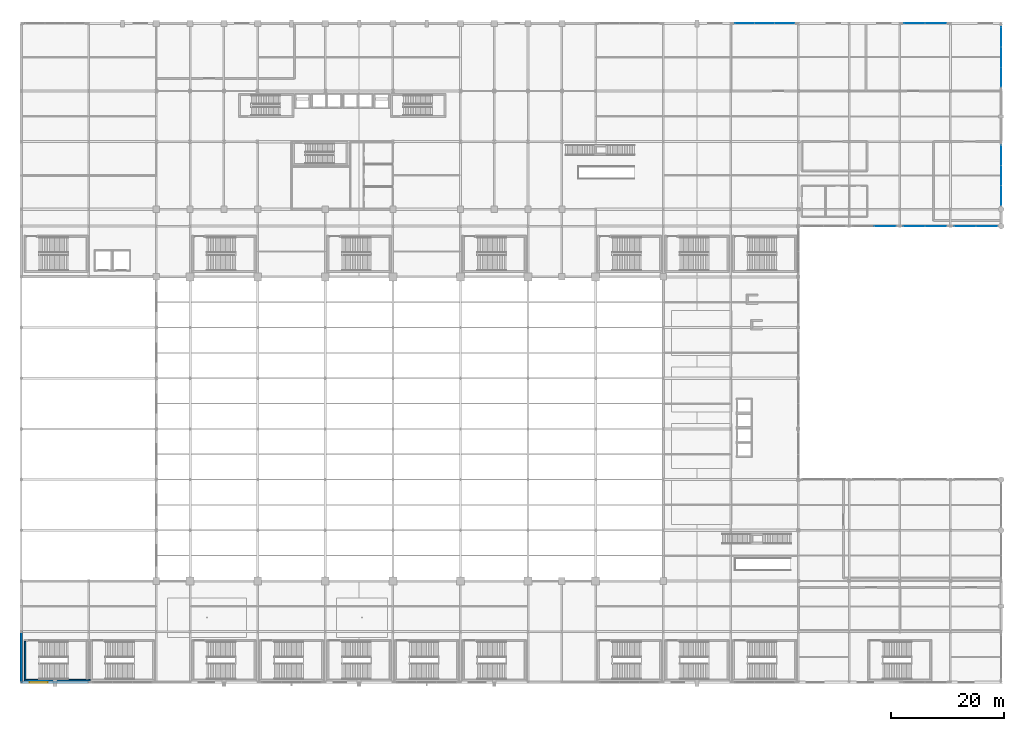
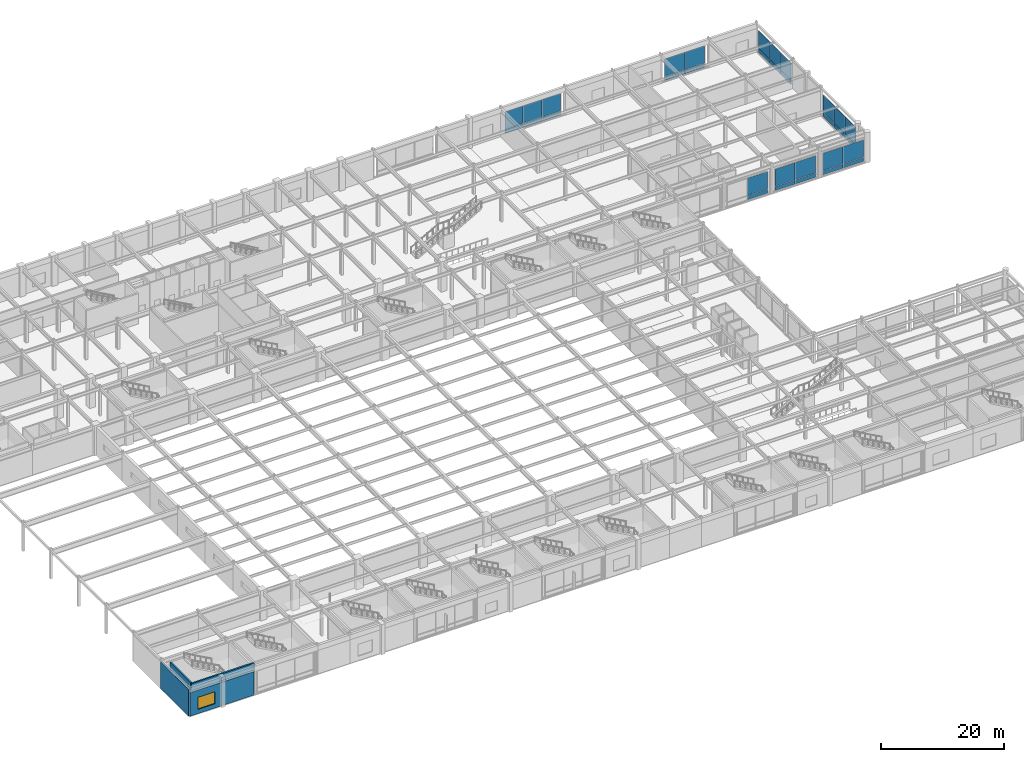
# One storey, part 82 of 105: 32 plates, 4 walls, 1 window, 1 opening, 7 elements without a shape of their own.
"""IFC4 building model written with IfcOpenShell, lengths in metres."""

from ifc_helpers import new_model, si_unit, direction, frame, frame_2d, origin, origin_with_axes, origin_2d, place, context, subcontext, project, spatial, rectangle, extrude, material, layer, layer_set, type_object, element, fill, aggregate, save


model = new_model("IFC4")

# Units and contexts
model_context = context("Model", 3, precision=1e-05, world=origin(), true_north=direction((0.0, 1.0)))
body_context = subcontext(model_context, "Body", "Model", "MODEL_VIEW")
ifc_project = project(units=[si_unit("LENGTHUNIT", "METRE"), si_unit("AREAUNIT", "SQUARE_METRE"), si_unit("VOLUMEUNIT", "CUBIC_METRE"), si_unit("PLANEANGLEUNIT", "RADIAN"), si_unit("MASSUNIT", "GRAM", prefix="KILO")], contexts=[model_context])

# Site, building, storey
site_placement = place(None, origin())
site = spatial("IfcSite", under=ifc_project, at=site_placement, CompositionType="ELEMENT")
building_placement = place(site_placement, origin())
building = spatial("IfcBuilding", under=site, at=building_placement, Name="Kaldorvane Square Convention Centre", CompositionType="ELEMENT")
storey_placement = place(building_placement, frame((0.0, 0.0, 6.0)))
storey = spatial("IfcBuildingStorey", under=building, at=storey_placement, Name="L01", CompositionType="ELEMENT", Elevation=6.0)

# Curtain wall, plates
ifc_material_1 = material(Name="Anodized Aluminum and Low-E Insulated Glazing", Category="aluminium")
curtain_wall_type_1 = type_object("IfcCurtainWallType", Name="CW-UNI-P60-09", PredefinedType="USERDEFINED", material=ifc_material_1)
curtain_wall_1_placement = place(storey_placement, origin())
curtain_wall_1 = element("IfcCurtainWall", 1, at=curtain_wall_1_placement, inside=storey, type_object=curtain_wall_type_1, Name="Curtain Wall CW-02 (L01)", ObjectType="UNITISED GLAZING", PredefinedType="USERDEFINED")
ifc_layer_1 = layer(ifc_material_1, 0.0359954833984375)
ifc_layer_set_1 = layer_set([ifc_layer_1], Name="Anodized Aluminum and Low-E Insulated Glazing")
plate_type_1 = type_object("IfcPlateType", Name="CW-PNL-02", PredefinedType="CURTAIN_PANEL", material=ifc_layer_set_1)
plate_1_placement = place(storey_placement, frame((135.51708984375, 117.0, 0.2100067138671875), z_axis=(0.0, 0.0, 1.0), x_axis=(-1.0, 0.0, 0.0)))
plate_1 = element("IfcPlate", 2, at=plate_1_placement, type_object=plate_type_1, Name="CW-02 panel 1.1", PredefinedType="CURTAIN_PANEL", context=body_context, shape_type="SweptSolid", body=[
    extrude(rectangle(XDim=3.4358367919921875, YDim=0.0359954833984375, at=origin_2d()), origin(), (0.0, 0.0, 1.0), 0.80999755859375),
])
plate_2_placement = place(storey_placement, frame((135.51708984375, 117.0, 1.079986572265625), z_axis=(0.0, 0.0, 1.0), x_axis=(-1.0, 0.0, 0.0)))
plate_2 = element("IfcPlate", 3, at=plate_2_placement, type_object=plate_type_1, Name="CW-02 panel 1.2", PredefinedType="CURTAIN_PANEL", context=body_context, shape_type="SweptSolid", body=[
    extrude(rectangle(XDim=3.4358367919921875, YDim=0.0359954833984375, at=origin_2d()), origin(), (0.0, 0.0, 1.0), 3.4199981689453125),
])
plate_3_placement = place(storey_placement, frame((132.0, 117.0, 0.2100067138671875), z_axis=(0.0, 0.0, 1.0), x_axis=(-1.0, 0.0, 0.0)))
plate_3 = element("IfcPlate", 4, at=plate_3_placement, type_object=plate_type_1, Name="CW-02 panel 2.1", PredefinedType="CURTAIN_PANEL", context=body_context, shape_type="SweptSolid", body=[
    extrude(rectangle(XDim=3.4683380126953125, YDim=0.0359954833984375, at=origin_2d()), origin(), (0.0, 0.0, 1.0), 0.80999755859375),
])
plate_4_placement = place(storey_placement, frame((132.0, 117.0, 1.079986572265625), z_axis=(0.0, 0.0, 1.0), x_axis=(-1.0, 0.0, 0.0)))
plate_4 = element("IfcPlate", 5, at=plate_4_placement, type_object=plate_type_1, Name="CW-02 panel 2.2", PredefinedType="CURTAIN_PANEL", context=body_context, shape_type="SweptSolid", body=[
    extrude(rectangle(XDim=3.4683380126953125, YDim=0.0359954833984375, at=origin_2d()), origin(), (0.0, 0.0, 1.0), 3.4199981689453125),
])
plate_5_placement = place(storey_placement, frame((128.48291015625, 117.0, 0.2100067138671875), z_axis=(0.0, 0.0, 1.0), x_axis=(-1.0, 0.0, 0.0)))
plate_5 = element("IfcPlate", 6, at=plate_5_placement, type_object=plate_type_1, Name="CW-02 panel 3.1", PredefinedType="CURTAIN_PANEL", context=body_context, shape_type="SweptSolid", body=[
    extrude(rectangle(XDim=3.4358367919921875, YDim=0.0359954833984375, at=origin_2d()), origin(), (0.0, 0.0, 1.0), 0.80999755859375),
])
plate_6_placement = place(storey_placement, frame((128.48291015625, 117.0, 1.079986572265625), z_axis=(0.0, 0.0, 1.0), x_axis=(-1.0, 0.0, 0.0)))
plate_6 = element("IfcPlate", 7, at=plate_6_placement, type_object=plate_type_1, Name="CW-02 panel 3.2", PredefinedType="CURTAIN_PANEL", context=body_context, shape_type="SweptSolid", body=[
    extrude(rectangle(XDim=3.4358367919921875, YDim=0.0359954833984375, at=origin_2d()), origin(), (0.0, 0.0, 1.0), 3.4199981689453125),
])
aggregate(curtain_wall_1, [plate_1, plate_2, plate_3, plate_4, plate_5, plate_6])

curtain_wall_2_placement = place(storey_placement, origin())
curtain_wall_2 = element("IfcCurtainWall", 8, at=curtain_wall_2_placement, inside=storey, type_object=curtain_wall_type_1, Name="Curtain Wall CW-02 (L01)", ObjectType="UNITISED GLAZING", PredefinedType="USERDEFINED")
plate_7_placement = place(storey_placement, frame((162.3837432861328, 117.0, 0.2100067138671875), z_axis=(0.0, 0.0, 1.0), x_axis=(-1.0, 0.0, 0.0)))
plate_7 = element("IfcPlate", 9, at=plate_7_placement, type_object=plate_type_1, Name="CW-02 panel 1.1", PredefinedType="CURTAIN_PANEL", context=body_context, shape_type="SweptSolid", body=[
    extrude(rectangle(XDim=3.7024993896484375, YDim=0.0359954833984375, at=origin_2d()), origin(), (0.0, 0.0, 1.0), 0.80999755859375),
])
plate_8_placement = place(storey_placement, frame((162.3837432861328, 117.0, 1.079986572265625), z_axis=(0.0, 0.0, 1.0), x_axis=(-1.0, 0.0, 0.0)))
plate_8 = element("IfcPlate", 10, at=plate_8_placement, type_object=plate_type_1, Name="CW-02 panel 1.2", PredefinedType="CURTAIN_PANEL", context=body_context, shape_type="SweptSolid", body=[
    extrude(rectangle(XDim=3.7024993896484375, YDim=0.0359954833984375, at=origin_2d()), origin(), (0.0, 0.0, 1.0), 3.4199981689453125),
])
plate_9_placement = place(storey_placement, frame((158.6162567138672, 117.0, 0.2100067138671875), z_axis=(0.0, 0.0, 1.0), x_axis=(-1.0, 0.0, 0.0)))
plate_9 = element("IfcPlate", 11, at=plate_9_placement, type_object=plate_type_1, Name="CW-02 panel 2.1", PredefinedType="CURTAIN_PANEL", context=body_context, shape_type="SweptSolid", body=[
    extrude(rectangle(XDim=3.7024993896484375, YDim=0.0359954833984375, at=origin_2d()), origin(), (0.0, 0.0, 1.0), 0.80999755859375),
])
plate_10_placement = place(storey_placement, frame((158.6162567138672, 117.0, 1.079986572265625), z_axis=(0.0, 0.0, 1.0), x_axis=(-1.0, 0.0, 0.0)))
plate_10 = element("IfcPlate", 12, at=plate_10_placement, type_object=plate_type_1, Name="CW-02 panel 2.2", PredefinedType="CURTAIN_PANEL", context=body_context, shape_type="SweptSolid", body=[
    extrude(rectangle(XDim=3.7024993896484375, YDim=0.0359954833984375, at=origin_2d()), origin(), (0.0, 0.0, 1.0), 3.4199981689453125),
])
aggregate(curtain_wall_2, [plate_7, plate_8, plate_9, plate_10])

curtain_wall_3_placement = place(storey_placement, origin())
curtain_wall_3 = element("IfcCurtainWall", 13, at=curtain_wall_3_placement, inside=storey, type_object=curtain_wall_type_1, Name="Curtain Wall CW-02 (L01)", ObjectType="UNITISED GLAZING", PredefinedType="USERDEFINED")
ifc_layer_2 = layer(ifc_material_1, 0.029998779296875)
ifc_layer_set_2 = layer_set([ifc_layer_2], Name="Anodized Aluminum and Low-E Insulated Glazing")
plate_type_2 = type_object("IfcPlateType", Name="CW-PNL-05", PredefinedType="CURTAIN_PANEL", material=ifc_layer_set_2)
plate_11_placement = place(storey_placement, frame((174.0, 86.4495849609375, 0.2100067138671875), z_axis=(0.0, 0.0, 1.0), x_axis=(0.0, 1.0, 0.0)))
plate_11 = element("IfcPlate", 14, at=plate_11_placement, type_object=plate_type_2, Name="CW-02 panel 1.1", PredefinedType="CURTAIN_PANEL", context=body_context, shape_type="SweptSolid", body=[
    extrude(rectangle(XDim=3.4691619873046875, YDim=0.029998779296875, at=origin_2d()), origin(), (0.0, 0.0, 1.0), 0.80999755859375),
])
plate_12_placement = place(storey_placement, frame((174.0, 86.4495849609375, 1.079986572265625), z_axis=(0.0, 0.0, 1.0), x_axis=(0.0, 1.0, 0.0)))
plate_12 = element("IfcPlate", 15, at=plate_12_placement, type_object=plate_type_2, Name="CW-02 panel 1.2", PredefinedType="CURTAIN_PANEL", context=body_context, shape_type="SweptSolid", body=[
    extrude(rectangle(XDim=3.4691619873046875, YDim=0.029998779296875, at=origin_2d()), origin(), (0.0, 0.0, 1.0), 3.4199981689453125),
])
plate_13_placement = place(storey_placement, frame((174.0, 90.0, 0.2100067138671875), z_axis=(0.0, 0.0, 1.0), x_axis=(0.0, 1.0, 0.0)))
plate_13 = element("IfcPlate", 16, at=plate_13_placement, type_object=plate_type_2, Name="CW-02 panel 2.1", PredefinedType="CURTAIN_PANEL", context=body_context, shape_type="SweptSolid", body=[
    extrude(rectangle(XDim=3.5016632080078125, YDim=0.029998779296875, at=origin_2d()), origin(), (0.0, 0.0, 1.0), 0.80999755859375),
])
plate_14_placement = place(storey_placement, frame((174.0, 90.0, 1.079986572265625), z_axis=(0.0, 0.0, 1.0), x_axis=(0.0, 1.0, 0.0)))
plate_14 = element("IfcPlate", 17, at=plate_14_placement, type_object=plate_type_2, Name="CW-02 panel 2.2", PredefinedType="CURTAIN_PANEL", context=body_context, shape_type="SweptSolid", body=[
    extrude(rectangle(XDim=3.5016632080078125, YDim=0.029998779296875, at=origin_2d()), origin(), (0.0, 0.0, 1.0), 3.4199981689453125),
])
plate_15_placement = place(storey_placement, frame((174.0, 93.5504150390625, 0.2100067138671875), z_axis=(0.0, 0.0, 1.0), x_axis=(0.0, 1.0, 0.0)))
plate_15 = element("IfcPlate", 18, at=plate_15_placement, type_object=plate_type_2, Name="CW-02 panel 3.1", PredefinedType="CURTAIN_PANEL", context=body_context, shape_type="SweptSolid", body=[
    extrude(rectangle(XDim=3.4691619873046875, YDim=0.029998779296875, at=origin_2d()), origin(), (0.0, 0.0, 1.0), 0.80999755859375),
])
plate_16_placement = place(storey_placement, frame((174.0, 93.5504150390625, 1.079986572265625), z_axis=(0.0, 0.0, 1.0), x_axis=(0.0, 1.0, 0.0)))
plate_16 = element("IfcPlate", 19, at=plate_16_placement, type_object=plate_type_2, Name="CW-02 panel 3.2", PredefinedType="CURTAIN_PANEL", context=body_context, shape_type="SweptSolid", body=[
    extrude(rectangle(XDim=3.4691619873046875, YDim=0.029998779296875, at=origin_2d()), origin(), (0.0, 0.0, 1.0), 3.4199981689453125),
])
aggregate(curtain_wall_3, [plate_11, plate_12, plate_13, plate_14, plate_15, plate_16])

curtain_wall_4_placement = place(storey_placement, origin())
curtain_wall_4 = element("IfcCurtainWall", 20, at=curtain_wall_4_placement, inside=storey, type_object=curtain_wall_type_1, Name="Curtain Wall CW-02 (L01)", ObjectType="UNITISED GLAZING", PredefinedType="USERDEFINED")
plate_17_placement = place(storey_placement, frame((174.0, 107.4495849609375, 0.2100067138671875), z_axis=(0.0, 0.0, 1.0), x_axis=(0.0, 1.0, 0.0)))
plate_17 = element("IfcPlate", 21, at=plate_17_placement, type_object=plate_type_2, Name="CW-02 panel 1.1", PredefinedType="CURTAIN_PANEL", context=body_context, shape_type="SweptSolid", body=[
    extrude(rectangle(XDim=3.4691619873046875, YDim=0.029998779296875, at=origin_2d()), origin(), (0.0, 0.0, 1.0), 0.80999755859375),
])
plate_18_placement = place(storey_placement, frame((174.0, 107.4495849609375, 1.079986572265625), z_axis=(0.0, 0.0, 1.0), x_axis=(0.0, 1.0, 0.0)))
plate_18 = element("IfcPlate", 22, at=plate_18_placement, type_object=plate_type_2, Name="CW-02 panel 1.2", PredefinedType="CURTAIN_PANEL", context=body_context, shape_type="SweptSolid", body=[
    extrude(rectangle(XDim=3.4691619873046875, YDim=0.029998779296875, at=origin_2d()), origin(), (0.0, 0.0, 1.0), 3.4199981689453125),
])
plate_19_placement = place(storey_placement, frame((174.0, 111.0, 0.2100067138671875), z_axis=(0.0, 0.0, 1.0), x_axis=(0.0, 1.0, 0.0)))
plate_19 = element("IfcPlate", 23, at=plate_19_placement, type_object=plate_type_2, Name="CW-02 panel 2.1", PredefinedType="CURTAIN_PANEL", context=body_context, shape_type="SweptSolid", body=[
    extrude(rectangle(XDim=3.5016632080078125, YDim=0.029998779296875, at=origin_2d()), origin(), (0.0, 0.0, 1.0), 0.80999755859375),
])
plate_20_placement = place(storey_placement, frame((174.0, 111.0, 1.079986572265625), z_axis=(0.0, 0.0, 1.0), x_axis=(0.0, 1.0, 0.0)))
plate_20 = element("IfcPlate", 24, at=plate_20_placement, type_object=plate_type_2, Name="CW-02 panel 2.2", PredefinedType="CURTAIN_PANEL", context=body_context, shape_type="SweptSolid", body=[
    extrude(rectangle(XDim=3.5016632080078125, YDim=0.029998779296875, at=origin_2d()), origin(), (0.0, 0.0, 1.0), 3.4199981689453125),
])
plate_21_placement = place(storey_placement, frame((174.0, 114.5504150390625, 0.2100067138671875), z_axis=(0.0, 0.0, 1.0), x_axis=(0.0, 1.0, 0.0)))
plate_21 = element("IfcPlate", 25, at=plate_21_placement, type_object=plate_type_2, Name="CW-02 panel 3.1", PredefinedType="CURTAIN_PANEL", context=body_context, shape_type="SweptSolid", body=[
    extrude(rectangle(XDim=3.4691619873046875, YDim=0.029998779296875, at=origin_2d()), origin(), (0.0, 0.0, 1.0), 0.80999755859375),
])
plate_22_placement = place(storey_placement, frame((174.0, 114.5504150390625, 1.079986572265625), z_axis=(0.0, 0.0, 1.0), x_axis=(0.0, 1.0, 0.0)))
plate_22 = element("IfcPlate", 26, at=plate_22_placement, type_object=plate_type_2, Name="CW-02 panel 3.2", PredefinedType="CURTAIN_PANEL", context=body_context, shape_type="SweptSolid", body=[
    extrude(rectangle(XDim=3.4691619873046875, YDim=0.029998779296875, at=origin_2d()), origin(), (0.0, 0.0, 1.0), 3.4199981689453125),
])
aggregate(curtain_wall_4, [plate_17, plate_18, plate_19, plate_20, plate_21, plate_22])

curtain_wall_type_2 = type_object("IfcCurtainWallType", Name="CW-PTS-FC-60", PredefinedType="USERDEFINED", material=ifc_material_1)
curtain_wall_5_placement = place(storey_placement, origin())
curtain_wall_5 = element("IfcCurtainWall", 27, at=curtain_wall_5_placement, inside=storey, type_object=curtain_wall_type_2, Name="Curtain Wall CW-07 (L01)", ObjectType="POINT SUPPORTED GLAZING", PredefinedType="USERDEFINED")
ifc_layer_3 = layer(ifc_material_1, 0.0399932861328125)
ifc_layer_set_3 = layer_set([ifc_layer_3], Name="Anodized Aluminum and Low-E Insulated Glazing")
plate_type_3 = type_object("IfcPlateType", Name="CW-PNL-07", PredefinedType="CURTAIN_PANEL", material=ifc_layer_set_3)
plate_23_placement = place(storey_placement, frame((153.40625, 81.0, 0.214996337890625), z_axis=(0.0, 0.0, 1.0), x_axis=(1.0, 0.0, 0.0)))
plate_23 = element("IfcPlate", 28, at=plate_23_placement, type_object=plate_type_3, Name="CW-07 panel 2.1", PredefinedType="CURTAIN_PANEL", context=body_context, shape_type="SweptSolid", body=[
    extrude(rectangle(XDim=3.7375030517578125, YDim=0.0399932861328125, at=origin_2d()), origin(), (0.0, 0.0, 1.0), 0.8025054931640625),
])
plate_24_placement = place(storey_placement, frame((153.40625, 81.0, 1.0825042724609375), z_axis=(0.0, 0.0, 1.0), x_axis=(1.0, 0.0, 0.0)))
plate_24 = element("IfcPlate", 29, at=plate_24_placement, type_object=plate_type_3, Name="CW-07 panel 2.2", PredefinedType="CURTAIN_PANEL", context=body_context, shape_type="SweptSolid", body=[
    extrude(rectangle(XDim=3.7375030517578125, YDim=0.0399932861328125, at=origin_2d()), origin(), (0.0, 0.0, 1.0), 3.412506103515625),
])
aggregate(curtain_wall_5, [plate_23, plate_24])

curtain_wall_6_placement = place(storey_placement, origin())
curtain_wall_6 = element("IfcCurtainWall", 30, at=curtain_wall_6_placement, inside=storey, type_object=curtain_wall_type_2, Name="Curtain Wall CW-07 (L01)", ObjectType="POINT SUPPORTED GLAZING", PredefinedType="USERDEFINED")
plate_25_placement = place(storey_placement, frame((158.59375, 81.0, 0.214996337890625), z_axis=(0.0, 0.0, 1.0), x_axis=(1.0, 0.0, 0.0)))
plate_25 = element("IfcPlate", 31, at=plate_25_placement, type_object=plate_type_3, Name="CW-07 panel 1.1", PredefinedType="CURTAIN_PANEL", context=body_context, shape_type="SweptSolid", body=[
    extrude(rectangle(XDim=3.7375030517578125, YDim=0.0399932861328125, at=origin_2d()), origin(), (0.0, 0.0, 1.0), 0.8025054931640625),
])
plate_26_placement = place(storey_placement, frame((158.59375, 81.0, 1.0825042724609375), z_axis=(0.0, 0.0, 1.0), x_axis=(1.0, 0.0, 0.0)))
plate_26 = element("IfcPlate", 32, at=plate_26_placement, type_object=plate_type_3, Name="CW-07 panel 1.2", PredefinedType="CURTAIN_PANEL", context=body_context, shape_type="SweptSolid", body=[
    extrude(rectangle(XDim=3.7375030517578125, YDim=0.0399932861328125, at=origin_2d()), origin(), (0.0, 0.0, 1.0), 3.412506103515625),
])
plate_27_placement = place(storey_placement, frame((162.40625, 81.0, 0.214996337890625), z_axis=(0.0, 0.0, 1.0), x_axis=(1.0, 0.0, 0.0)))
plate_27 = element("IfcPlate", 33, at=plate_27_placement, type_object=plate_type_3, Name="CW-07 panel 2.1", PredefinedType="CURTAIN_PANEL", context=body_context, shape_type="SweptSolid", body=[
    extrude(rectangle(XDim=3.7375030517578125, YDim=0.0399932861328125, at=origin_2d()), origin(), (0.0, 0.0, 1.0), 0.8025054931640625),
])
plate_28_placement = place(storey_placement, frame((162.40625, 81.0, 1.0825042724609375), z_axis=(0.0, 0.0, 1.0), x_axis=(1.0, 0.0, 0.0)))
plate_28 = element("IfcPlate", 34, at=plate_28_placement, type_object=plate_type_3, Name="CW-07 panel 2.2", PredefinedType="CURTAIN_PANEL", context=body_context, shape_type="SweptSolid", body=[
    extrude(rectangle(XDim=3.7375030517578125, YDim=0.0399932861328125, at=origin_2d()), origin(), (0.0, 0.0, 1.0), 3.412506103515625),
])
aggregate(curtain_wall_6, [plate_25, plate_26, plate_27, plate_28])

curtain_wall_7_placement = place(storey_placement, origin())
curtain_wall_7 = element("IfcCurtainWall", 35, at=curtain_wall_7_placement, inside=storey, type_object=curtain_wall_type_2, Name="Curtain Wall CW-07 (L01)", ObjectType="POINT SUPPORTED GLAZING", PredefinedType="USERDEFINED")
plate_29_placement = place(storey_placement, frame((167.59375, 81.0, 0.214996337890625), z_axis=(0.0, 0.0, 1.0), x_axis=(1.0, 0.0, 0.0)))
plate_29 = element("IfcPlate", 36, at=plate_29_placement, type_object=plate_type_3, Name="CW-07 panel 1.1", PredefinedType="CURTAIN_PANEL", context=body_context, shape_type="SweptSolid", body=[
    extrude(rectangle(XDim=3.7375030517578125, YDim=0.0399932861328125, at=origin_2d()), origin(), (0.0, 0.0, 1.0), 0.8025054931640625),
])
plate_30_placement = place(storey_placement, frame((167.59375, 81.0, 1.0825042724609375), z_axis=(0.0, 0.0, 1.0), x_axis=(1.0, 0.0, 0.0)))
plate_30 = element("IfcPlate", 37, at=plate_30_placement, type_object=plate_type_3, Name="CW-07 panel 1.2", PredefinedType="CURTAIN_PANEL", context=body_context, shape_type="SweptSolid", body=[
    extrude(rectangle(XDim=3.7375030517578125, YDim=0.0399932861328125, at=origin_2d()), origin(), (0.0, 0.0, 1.0), 3.412506103515625),
])
plate_31_placement = place(storey_placement, frame((171.40625, 81.0, 0.214996337890625), z_axis=(0.0, 0.0, 1.0), x_axis=(1.0, 0.0, 0.0)))
plate_31 = element("IfcPlate", 38, at=plate_31_placement, type_object=plate_type_3, Name="CW-07 panel 2.1", PredefinedType="CURTAIN_PANEL", context=body_context, shape_type="SweptSolid", body=[
    extrude(rectangle(XDim=3.7375030517578125, YDim=0.0399932861328125, at=origin_2d()), origin(), (0.0, 0.0, 1.0), 0.8025054931640625),
])
plate_32_placement = place(storey_placement, frame((171.40625, 81.0, 1.0825042724609375), z_axis=(0.0, 0.0, 1.0), x_axis=(1.0, 0.0, 0.0)))
plate_32 = element("IfcPlate", 39, at=plate_32_placement, type_object=plate_type_3, Name="CW-07 panel 2.2", PredefinedType="CURTAIN_PANEL", context=body_context, shape_type="SweptSolid", body=[
    extrude(rectangle(XDim=3.7375030517578125, YDim=0.0399932861328125, at=origin_2d()), origin(), (0.0, 0.0, 1.0), 3.412506103515625),
])
aggregate(curtain_wall_7, [plate_29, plate_30, plate_31, plate_32])

# Wall, opening, window
ifc_material_2 = material(Name="Concrete f'c = 42 MPa (Normalweight)", Category="concrete")
ifc_layer_4 = layer(ifc_material_2, 0.410003662109375)
ifc_layer_set_4 = layer_set([ifc_layer_4], Name="Concrete f'c = 42 MPa (Normalweight)")
wall_type_1 = type_object("IfcWallType", Name="WL-EXT-410", PredefinedType="STANDARD", material=ifc_layer_set_4)
wall_1_placement = place(storey_placement, origin_with_axes())
wall_1 = element("IfcWall", 40, at=wall_1_placement, inside=storey, type_object=wall_type_1, Name="South Square Brutalist Facade Wall (L01)", PredefinedType="STANDARD", context=body_context, shape_type="SweptSolid", body=[
    extrude(rectangle(XDim=12.0, YDim=0.410003662109375, at=frame_2d((6.0, 0.0))), origin(), (0.0, 0.0, 1.0), 4.675994873046875),
])
opening_placement = place(wall_1_placement, frame((1.5, 0.0, 0.850006103515625)))
opening = element("IfcOpeningElement", 41, at=opening_placement, cuts=wall_1, Name="Opening W-15", PredefinedType="OPENING", context=body_context, shape_type="SweptSolid", body=[
    extrude(rectangle(XDim=3.1999969482421875, YDim=2.399993896484375, at=frame_2d((1.600006103515625, 1.1999969482421875))), frame((0.0, 0.220001220703125, 0.0), z_axis=(0.0, -1.0, 0.0), x_axis=(1.0, 0.0, 0.0)), (0.0, 0.0, 1.0), 0.44000244140625),
])
window_type = type_object("IfcWindowType", Name="WN-POD-3200X2400", PartitioningType="TRIPLE_PANEL_VERTICAL", PredefinedType="WINDOW", material=ifc_material_1)
window_placement = place(opening_placement, origin())
window = element("IfcWindow", 42, at=window_placement, inside=storey, type_object=window_type, Name="South Facade Window (L01)", OverallHeight=2.399993896484375, OverallWidth=3.1999969482421875, PartitioningType="TRIPLE_PANEL_VERTICAL", PredefinedType="WINDOW", context=body_context, shape_type="SweptSolid", body=[
    extrude(rectangle(XDim=3.1999969482421875, YDim=2.399993896484375, at=frame_2d((1.600006103515625, 1.1999969482421875))), frame((0.0, 0.029998779296875, 0.0), z_axis=(0.0, -1.0, 0.0), x_axis=(1.0, 0.0, 0.0)), (0.0, 0.0, 1.0), 0.05999755859375),
])
fill(opening, window)

# Walls
wall_2_placement = place(storey_placement, frame((0.0, 9.0, 0.0), z_axis=(0.0, 0.0, 1.0), x_axis=(0.0, -1.0, 0.0)))
element("IfcWall", 43, at=wall_2_placement, inside=storey, type_object=wall_type_1, Name="West Service Spine Wall (L01)", PredefinedType="STANDARD", context=body_context, shape_type="SweptSolid", body=[
    extrude(rectangle(XDim=9.0, YDim=0.410003662109375, at=frame_2d((4.5, 0.0))), origin(), (0.0, 0.0, 1.0), 5.2689971923828125),
])
ifc_material_3 = material(Name="Concrete f'c = 55 MPa (Normalweight)", Category="concrete")
ifc_layer_5 = layer(ifc_material_3, 0.3000030517578125)
ifc_layer_set_5 = layer_set([ifc_layer_5], Name="Concrete f'c = 55 MPa (Normalweight)")
wall_type_2 = type_object("IfcWallType", Name="WL-SHAFT-300", PredefinedType="SHEAR", material=ifc_layer_set_5)
wall_3_placement = place(storey_placement, frame((12.339996337890625, 0.399993896484375, 0.0), z_axis=(0.0, 0.0, 1.0), x_axis=(-1.0, 0.0, 0.0)))
element("IfcWall", 44, at=wall_3_placement, inside=storey, type_object=wall_type_2, Name="Core Enclosure Wall stair:ST-C1-S (L01)", PredefinedType="SHEAR", context=body_context, shape_type="SweptSolid", body=[
    extrude(rectangle(XDim=11.779998779296875, YDim=0.3000030517578125, at=frame_2d((5.8899993896484375, 0.0))), origin(), (0.0, 0.0, 1.0), 6.0),
])
wall_4_placement = place(storey_placement, frame((0.7100067138671875, 7.2599945068359375, 0.0), z_axis=(0.0, 0.0, 1.0), x_axis=(0.0, -1.0, 0.0)))
element("IfcWall", 45, at=wall_4_placement, inside=storey, type_object=wall_type_2, Name="Core Enclosure Wall stair:ST-C1-W (L01)", PredefinedType="SHEAR", context=body_context, shape_type="SweptSolid", body=[
    extrude(rectangle(XDim=6.709991455078125, YDim=0.3000030517578125, at=frame_2d((3.3549957275390625, 0.0))), origin(), (0.0, 0.0, 1.0), 6.0),
])

save(model, "model.ifc")
